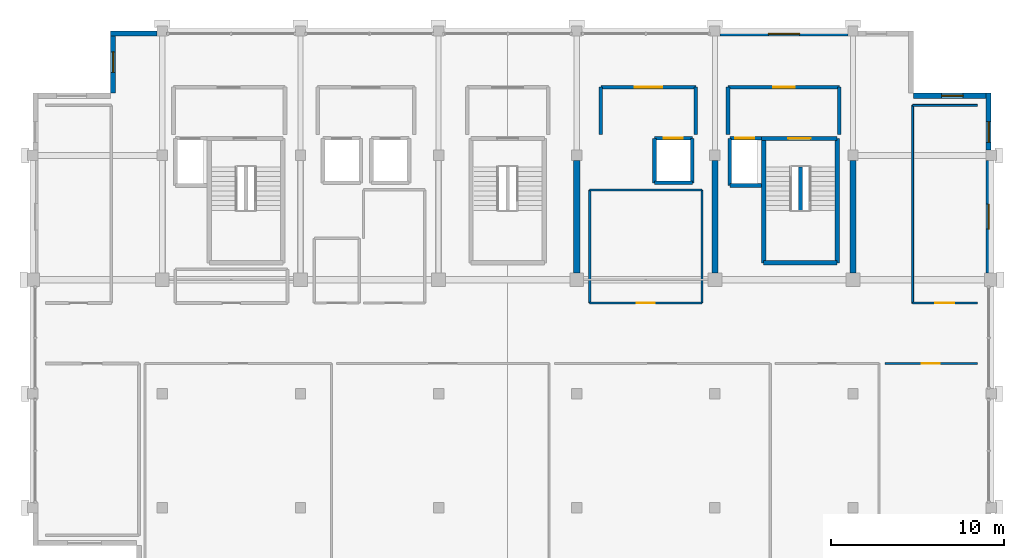
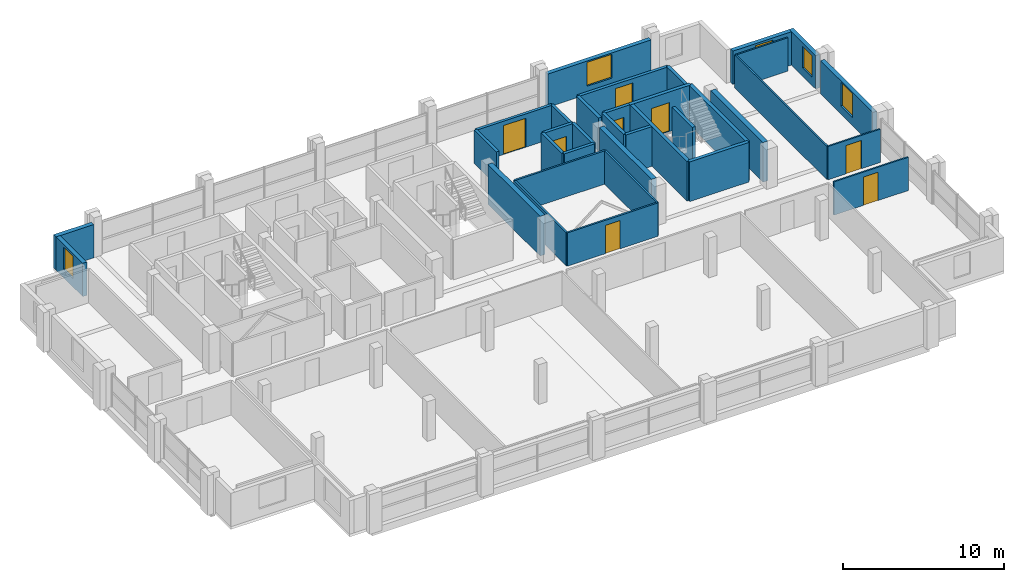
# One storey, part 22 of 24: 35 walls, 8 doors, 5 windows, 13 openings.
"""IFC4 building model written with IfcOpenShell, lengths in metres."""

from ifc_helpers import new_model, si_unit, direction, frame, frame_2d, origin, place, context, subcontext, project, spatial, rectangle, extrude, material, layer, layer_set, type_object, element, fill, save


model = new_model("IFC4")

# Units and contexts
model_context = context("Model", 3, precision=1e-05, world=origin(), true_north=direction((0.0, 1.0)))
body_context = subcontext(model_context, "Body", "Model", "MODEL_VIEW")
ifc_project = project(units=[si_unit("LENGTHUNIT", "METRE"), si_unit("AREAUNIT", "SQUARE_METRE"), si_unit("VOLUMEUNIT", "CUBIC_METRE"), si_unit("PLANEANGLEUNIT", "RADIAN"), si_unit("MASSUNIT", "GRAM", prefix="KILO")], contexts=[model_context])

# Site, building, storey
site_placement = place(None, origin())
site = spatial("IfcSite", under=ifc_project, at=site_placement, CompositionType="ELEMENT")
building_placement = place(site_placement, origin())
building = spatial("IfcBuilding", under=site, at=building_placement, Name="Akrevak Sports Hall", CompositionType="ELEMENT")
storey_placement = place(building_placement, frame((0.0, 0.0, 63.300048828125)))
storey = spatial("IfcBuildingStorey", under=building, at=storey_placement, Name="L16", CompositionType="ELEMENT", Elevation=63.300048828125)

# Wall, opening, window
ifc_material_1 = material(Name="Limestone Ashlar", Category="stone")
ifc_layer_1 = layer(ifc_material_1, 0.06005859375, Name="Limestone Ashlar")
ifc_material_2 = material(Name="Mineral Wool Thermal Insulation", Category="insulation")
ifc_layer_2 = layer(ifc_material_2, 0.090087890625, Name="Mineral Wool Thermal Insulation")
ifc_material_3 = material(Name="Concrete C40/50", Category="concrete")
ifc_layer_3 = layer(ifc_material_3, 0.14990234375, Name="Concrete C40/50")
ifc_layer_set_1 = layer_set([ifc_layer_1, ifc_layer_2, ifc_layer_3], Name="Limestone Ashlar / Mineral Wool Thermal Insulation / Concrete C40/50")
wall_type_1 = type_object("IfcWallType", Name="ARC-WL-EXT-300", PredefinedType="SOLIDWALL", material=ifc_layer_set_1)
wall_1_placement = place(storey_placement, frame((107.85009765625, 55.60009765625, 0.0), z_axis=(0.0, 0.0, 1.0), x_axis=(0.0, 1.0, 0.0)))
wall_1 = element("IfcWall", 1, at=wall_1_placement, inside=storey, type_object=wall_type_1, Name="Tower Stone Facade Wall L16-E13", PredefinedType="SOLIDWALL", context=body_context, shape_type="SweptSolid", body=[
    extrude(rectangle(XDim=6.5, YDim=0.300048828125, at=frame_2d((3.25, 0.0))), origin(), (0.0, 0.0, 1.0), 2.530029296875),
])
opening_1_placement = place(wall_1_placement, frame((2.52490234375, 0.0, 0.6201171875)))
opening_1 = element("IfcOpeningElement", 2, at=opening_1_placement, cuts=wall_1, Name="Opening WN-51", PredefinedType="OPENING", context=body_context, shape_type="SweptSolid", body=[
    extrude(rectangle(XDim=1.449951171875, YDim=1.81005859375, at=frame_2d((0.72509765625, 0.905029296875))), frame((0.0, 0.162109375, 0.0), z_axis=(0.0, -1.0, 0.0), x_axis=(1.0, 0.0, 0.0)), (0.0, 0.0, 1.0), 0.323974609375),
])
ifc_material_4 = material(Name="Thermally Broken Bronze Frame & Double Low-E Glass", Category="glass")
window_type_1 = type_object("IfcWindowType", Name="ARC-WIN-SZ-1450x1810", PartitioningType="SINGLE_PANEL", PredefinedType="WINDOW", material=ifc_material_4)
window_1_placement = place(opening_1_placement, origin())
window_1 = element("IfcWindow", 3, at=window_1_placement, inside=storey, type_object=window_type_1, Name="Tower Window L16-E13", OverallHeight=1.81005859375, OverallWidth=1.449951171875, PartitioningType="SINGLE_PANEL", PredefinedType="WINDOW", context=body_context, shape_type="SweptSolid", body=[
    extrude(rectangle(XDim=1.449951171875, YDim=1.81005859375, at=frame_2d((0.72509765625, 0.905029296875))), frame((0.0, 0.030029296875, 0.0), z_axis=(0.0, -1.0, 0.0), x_axis=(1.0, 0.0, 0.0)), (0.0, 0.0, 1.0), 0.06005859375),
])
fill(opening_1, window_1)

wall_2_placement = place(storey_placement, frame((107.85009765625, 62.699951171875, 0.0), z_axis=(0.0, 0.0, 1.0), x_axis=(0.0, 1.0, 0.0)))
wall_2 = element("IfcWall", 4, at=wall_2_placement, inside=storey, type_object=wall_type_1, Name="Tower Stone Facade Wall L16-E14", PredefinedType="SOLIDWALL", context=body_context, shape_type="SweptSolid", body=[
    extrude(rectangle(XDim=3.300048828125, YDim=0.300048828125, at=frame_2d((1.64990234375, 0.0))), origin(), (0.0, 0.0, 1.0), 2.530029296875),
])
opening_2_placement = place(wall_2_placement, frame((0.449951171875, 0.0, 0.6201171875)))
opening_2 = element("IfcOpeningElement", 5, at=opening_2_placement, cuts=wall_2, Name="Opening WN-45", PredefinedType="OPENING", context=body_context, shape_type="SweptSolid", body=[
    extrude(rectangle(XDim=1.199951171875, YDim=1.64990234375, at=frame_2d((0.60009765625, 0.824951171875))), frame((0.0, 0.162109375, 0.0), z_axis=(0.0, -1.0, 0.0), x_axis=(1.0, 0.0, 0.0)), (0.0, 0.0, 1.0), 0.323974609375),
])
window_type_2 = type_object("IfcWindowType", Name="ARC-WIN-SZ-1200x1650", PartitioningType="SINGLE_PANEL", PredefinedType="WINDOW", material=ifc_material_4)
window_2_placement = place(opening_2_placement, origin())
window_2 = element("IfcWindow", 6, at=window_2_placement, inside=storey, type_object=window_type_2, Name="Tower Window L16-E14", OverallHeight=1.64990234375, OverallWidth=1.199951171875, PartitioningType="SINGLE_PANEL", PredefinedType="WINDOW", context=body_context, shape_type="SweptSolid", body=[
    extrude(rectangle(XDim=1.199951171875, YDim=1.64990234375, at=frame_2d((0.60009765625, 0.824951171875))), frame((0.0, 0.030029296875, 0.0), z_axis=(0.0, -1.0, 0.0), x_axis=(1.0, 0.0, 0.0)), (0.0, 0.0, 1.0), 0.06005859375),
])
fill(opening_2, window_2)

wall_3_placement = place(storey_placement, frame((108.0, 65.85009765625, 0.0), z_axis=(0.0, 0.0, 1.0), x_axis=(-1.0, 0.0, 0.0)))
wall_3 = element("IfcWall", 7, at=wall_3_placement, inside=storey, type_object=wall_type_1, Name="Tower Stone Facade Wall L16-N15", PredefinedType="SOLIDWALL", context=body_context, shape_type="SweptSolid", body=[
    extrude(rectangle(XDim=4.5, YDim=0.300048828125, at=frame_2d((2.25, 0.0))), origin(), (0.0, 0.0, 1.0), 2.530029296875),
])
opening_3_placement = place(wall_3_placement, frame((1.625, 0.0, 0.6201171875)))
opening_3 = element("IfcOpeningElement", 8, at=opening_3_placement, cuts=wall_3, Name="Opening WN-20", PredefinedType="OPENING", context=body_context, shape_type="SweptSolid", body=[
    extrude(rectangle(XDim=1.25, YDim=1.75, at=frame_2d((0.625, 0.875))), frame((0.0, 0.162109375, 0.0), z_axis=(0.0, -1.0, 0.0), x_axis=(1.0, 0.0, 0.0)), (0.0, 0.0, 1.0), 0.323974609375),
])
window_type_3 = type_object("IfcWindowType", Name="ARC-WIN-TW-125x175", PartitioningType="SINGLE_PANEL", PredefinedType="WINDOW", material=ifc_material_4)
window_3_placement = place(opening_3_placement, origin())
window_3 = element("IfcWindow", 9, at=window_3_placement, inside=storey, type_object=window_type_3, Name="Tower Window L16-N15", OverallHeight=1.75, OverallWidth=1.25, PartitioningType="SINGLE_PANEL", PredefinedType="WINDOW", context=body_context, shape_type="SweptSolid", body=[
    extrude(rectangle(XDim=1.25, YDim=1.75, at=frame_2d((0.625, 0.875))), frame((0.0, 0.030029296875, 0.0), z_axis=(0.0, -1.0, 0.0), x_axis=(1.0, 0.0, 0.0)), (0.0, 0.0, 1.0), 0.06005859375),
])
fill(opening_3, window_3)

wall_4_placement = place(storey_placement, frame((99.699951171875, 69.449951171875, 0.0), z_axis=(0.0, 0.0, 1.0), x_axis=(-1.0, 0.0, 0.0)))
wall_4 = element("IfcWall", 10, at=wall_4_placement, inside=storey, type_object=wall_type_1, Name="Tower Stone Facade Wall L16-N18", PredefinedType="SOLIDWALL", context=body_context, shape_type="SweptSolid", body=[
    extrude(rectangle(XDim=7.39990234375, YDim=0.300048828125, at=frame_2d((3.699951171875, 0.0))), origin(), (0.0, 0.0, 1.0), 2.530029296875),
])
opening_4_placement = place(wall_4_placement, frame((2.800048828125, 0.0, 0.6201171875)))
opening_4 = element("IfcOpeningElement", 11, at=opening_4_placement, cuts=wall_4, Name="Opening WN-54", PredefinedType="OPENING", context=body_context, shape_type="SweptSolid", body=[
    extrude(rectangle(XDim=1.800048828125, YDim=1.81005859375, at=frame_2d((0.89990234375, 0.905029296875))), frame((0.0, 0.162109375, 0.0), z_axis=(0.0, -1.0, 0.0), x_axis=(1.0, 0.0, 0.0)), (0.0, 0.0, 1.0), 0.323974609375),
])
window_type_4 = type_object("IfcWindowType", Name="ARC-WIN-SZ-1800x1810", PartitioningType="SINGLE_PANEL", PredefinedType="WINDOW", material=ifc_material_4)
window_4_placement = place(opening_4_placement, origin())
window_4 = element("IfcWindow", 12, at=window_4_placement, inside=storey, type_object=window_type_4, Name="Tower Window L16-N18", OverallHeight=1.81005859375, OverallWidth=1.800048828125, PartitioningType="SINGLE_PANEL", PredefinedType="WINDOW", context=body_context, shape_type="SweptSolid", body=[
    extrude(rectangle(XDim=1.800048828125, YDim=1.81005859375, at=frame_2d((0.89990234375, 0.905029296875))), frame((0.0, 0.030029296875, 0.0), z_axis=(0.0, -1.0, 0.0), x_axis=(1.0, 0.0, 0.0)), (0.0, 0.0, 1.0), 0.06005859375),
])
fill(opening_4, window_4)

# Wall
wall_5_placement = place(storey_placement, frame((59.699951171875, 69.449951171875, 0.0), z_axis=(0.0, 0.0, 1.0), x_axis=(-1.0, 0.0, 0.0)))
element("IfcWall", 13, at=wall_5_placement, inside=storey, type_object=wall_type_1, Name="Tower Stone Facade Wall L16-N23", PredefinedType="SOLIDWALL", context=body_context, shape_type="SweptSolid", body=[
    extrude(rectangle(XDim=2.699951171875, YDim=0.300048828125, at=frame_2d((1.35009765625, 0.0))), origin(), (0.0, 0.0, 1.0), 2.530029296875),
])

# Wall, opening, window
wall_6_placement = place(storey_placement, frame((57.14990234375, 69.60009765625, 0.0), z_axis=(0.0, 0.0, 1.0), x_axis=(0.0, -1.0, 0.0)))
wall_6 = element("IfcWall", 14, at=wall_6_placement, inside=storey, type_object=wall_type_1, Name="Tower Stone Facade Wall L16-W24", PredefinedType="SOLIDWALL", context=body_context, shape_type="SweptSolid", body=[
    extrude(rectangle(XDim=3.60009765625, YDim=0.300048828125, at=frame_2d((1.800048828125, 0.0))), origin(), (0.0, 0.0, 1.0), 2.530029296875),
])
opening_5_placement = place(wall_6_placement, frame((1.199951171875, 0.0, 0.6201171875)))
opening_5 = element("IfcOpeningElement", 15, at=opening_5_placement, cuts=wall_6, Name="Opening WN-13", PredefinedType="OPENING", context=body_context, shape_type="SweptSolid", body=[
    extrude(rectangle(XDim=1.199951171875, YDim=1.699951171875, at=frame_2d((0.60009765625, 0.85009765625))), frame((0.0, 0.162109375, 0.0), z_axis=(0.0, -1.0, 0.0), x_axis=(1.0, 0.0, 0.0)), (0.0, 0.0, 1.0), 0.323974609375),
])
window_type_5 = type_object("IfcWindowType", Name="ARC-WIN-TW-120x170", PartitioningType="SINGLE_PANEL", PredefinedType="WINDOW", material=ifc_material_4)
window_5_placement = place(opening_5_placement, origin())
window_5 = element("IfcWindow", 16, at=window_5_placement, inside=storey, type_object=window_type_5, Name="Tower Window L16-W24", OverallHeight=1.699951171875, OverallWidth=1.199951171875, PartitioningType="SINGLE_PANEL", PredefinedType="WINDOW", context=body_context, shape_type="SweptSolid", body=[
    extrude(rectangle(XDim=1.199951171875, YDim=1.699951171875, at=frame_2d((0.60009765625, 0.85009765625))), frame((0.0, 0.030029296875, 0.0), z_axis=(0.0, -1.0, 0.0), x_axis=(1.0, 0.0, 0.0)), (0.0, 0.0, 1.0), 0.06005859375),
])
fill(opening_5, window_5)

# Wall, opening, door
ifc_material_5 = material(Name="Lightweight Office Partition", Category="gypsum")
ifc_layer_4 = layer(ifc_material_5, 0.110107421875, Name="Lightweight Office Partition")
ifc_layer_set_2 = layer_set([ifc_layer_4], Name="Lightweight Office Partition")
wall_type_2 = type_object("IfcWallType", Name="ARC-WL-PRT-110", PredefinedType="PARTITIONING", material=ifc_layer_set_2)
wall_7_placement = place(storey_placement, frame((101.85009765625, 50.35009765625, 0.0), z_axis=(0.0, 0.0, 1.0), x_axis=(1.0, 0.0, 0.0)))
wall_7 = element("IfcWall", 17, at=wall_7_placement, inside=storey, type_object=wall_type_2, Name="Interior Partition International Federation Office East (L16) (N)", PredefinedType="PARTITIONING", context=body_context, shape_type="SweptSolid", body=[
    extrude(rectangle(XDim=5.349853515625, YDim=0.110107421875, at=frame_2d((2.6748046875, 0.0))), origin(), (0.0, 0.0, 1.0), 2.530029296875),
])
opening_6_placement = place(wall_7_placement, frame((2.125, 0.0, 0.0)))
opening_6 = element("IfcOpeningElement", 18, at=opening_6_placement, cuts=wall_7, Name="Opening ID-05", PredefinedType="OPENING", context=body_context, shape_type="SweptSolid", body=[
    extrude(rectangle(XDim=1.050048828125, YDim=2.14990234375, at=frame_2d((0.52490234375, 1.074951171875))), frame((0.0, 0.06689453125, 0.0), z_axis=(0.0, -1.0, 0.0), x_axis=(1.0, 0.0, 0.0)), (0.0, 0.0, 1.0), 0.134033203125),
])
ifc_material_6 = material(Name="Hardwood Oak Acoustic Leaf", Category="wood")
door_type_1 = type_object("IfcDoorType", Name="ARC-DR-OFF-105x215", OperationType="NOTDEFINED", PredefinedType="DOOR", material=ifc_material_6)
door_1_placement = place(opening_6_placement, origin())
door_1 = element("IfcDoor", 19, at=door_1_placement, inside=storey, type_object=door_type_1, Name="Door to International Federation Office East (L16)", OperationType="SINGLE_SWING_LEFT", OverallHeight=2.14990234375, OverallWidth=1.050048828125, PredefinedType="DOOR", context=body_context, shape_type="SweptSolid", body=[
    extrude(rectangle(XDim=1.050048828125, YDim=2.14990234375, at=frame_2d((0.52490234375, 1.074951171875))), frame((0.0, 0.02490234375, 0.0), z_axis=(0.0, -1.0, 0.0), x_axis=(1.0, 0.0, 0.0)), (0.0, 0.0, 1.0), 0.050048828125),
])
fill(opening_6, door_1)

wall_8_placement = place(storey_placement, frame((103.449951171875, 53.85009765625, 0.0), z_axis=(0.0, 0.0, 1.0), x_axis=(1.0, 0.0, 0.0)))
wall_8 = element("IfcWall", 20, at=wall_8_placement, inside=storey, type_object=wall_type_2, Name="Interior Partition Heritage Curatorial Office (L16) (S)", PredefinedType="PARTITIONING", context=body_context, shape_type="SweptSolid", body=[
    extrude(rectangle(XDim=3.75, YDim=0.110107421875, at=frame_2d((1.875, 0.0))), origin(), (0.0, 0.0, 1.0), 2.530029296875),
])
opening_7_placement = place(wall_8_placement, frame((1.300048828125, 0.0, 0.0)))
opening_7 = element("IfcOpeningElement", 21, at=opening_7_placement, cuts=wall_8, Name="Opening ID-04", PredefinedType="OPENING", context=body_context, shape_type="SweptSolid", body=[
    extrude(rectangle(XDim=1.10009765625, YDim=2.14990234375, at=frame_2d((0.550048828125, 1.074951171875))), frame((0.0, 0.06689453125, 0.0), z_axis=(0.0, -1.0, 0.0), x_axis=(1.0, 0.0, 0.0)), (0.0, 0.0, 1.0), 0.134033203125),
])
door_type_2 = type_object("IfcDoorType", Name="ARC-DR-OFF-110x215", OperationType="NOTDEFINED", PredefinedType="DOOR", material=ifc_material_6)
door_2_placement = place(opening_7_placement, origin())
door_2 = element("IfcDoor", 22, at=door_2_placement, inside=storey, type_object=door_type_2, Name="Door to Heritage Curatorial Office (L16)", OperationType="SINGLE_SWING_LEFT", OverallHeight=2.14990234375, OverallWidth=1.10009765625, PredefinedType="DOOR", context=body_context, shape_type="SweptSolid", body=[
    extrude(rectangle(XDim=1.10009765625, YDim=2.14990234375, at=frame_2d((0.550048828125, 1.074951171875))), frame((0.0, 0.02490234375, 0.0), z_axis=(0.0, -1.0, 0.0), x_axis=(1.0, 0.0, 0.0)), (0.0, 0.0, 1.0), 0.050048828125),
])
fill(opening_7, door_2)

# Walls
wall_9_placement = place(storey_placement, frame((103.449951171875, 65.300048828125, 0.0), z_axis=(0.0, 0.0, 1.0), x_axis=(1.0, 0.0, 0.0)))
element("IfcWall", 23, at=wall_9_placement, inside=storey, type_object=wall_type_2, Name="Interior Partition Heritage Curatorial Office (L16) (N)", PredefinedType="PARTITIONING", context=body_context, shape_type="SweptSolid", body=[
    extrude(rectangle(XDim=3.75, YDim=0.110107421875, at=frame_2d((1.875, 0.0))), origin(), (0.0, 0.0, 1.0), 2.530029296875),
])
wall_10_placement = place(storey_placement, frame((103.449951171875, 53.85009765625, 0.0), z_axis=(0.0, 0.0, 1.0), x_axis=(0.0, 1.0, 0.0)))
element("IfcWall", 24, at=wall_10_placement, inside=storey, type_object=wall_type_2, Name="Interior Partition Heritage Curatorial Office (L16) (W)", PredefinedType="PARTITIONING", context=body_context, shape_type="SweptSolid", body=[
    extrude(rectangle(XDim=11.449951171875, YDim=0.110107421875, at=frame_2d((5.72509765625, 0.0))), origin(), (0.0, 0.0, 1.0), 2.530029296875),
])

# Wall, opening, door
ifc_material_7 = material(Name="Acoustic Metal Stud Partition", Category="gypsum")
ifc_layer_5 = layer(ifc_material_7, 0.1298828125, Name="Acoustic Metal Stud Partition")
ifc_layer_set_3 = layer_set([ifc_layer_5], Name="Acoustic Metal Stud Partition")
wall_type_3 = type_object("IfcWallType", Name="ARC-WL-PRT-130", PredefinedType="PARTITIONING", material=ifc_layer_set_3)
wall_11_placement = place(storey_placement, frame((84.75, 53.85009765625, 0.0), z_axis=(0.0, 0.0, 1.0), x_axis=(1.0, 0.0, 0.0)))
wall_11 = element("IfcWall", 25, at=wall_11_placement, inside=storey, type_object=wall_type_3, Name="Interior Partition Federation Officiating Office East (L16) (S)", PredefinedType="PARTITIONING", context=body_context, shape_type="SweptSolid", body=[
    extrude(rectangle(XDim=6.5, YDim=0.1298828125, at=frame_2d((3.25, 0.0))), origin(), (0.0, 0.0, 1.0), 2.530029296875),
])
opening_8_placement = place(wall_11_placement, frame((2.72509765625, 0.0, 0.0)))
opening_8 = element("IfcOpeningElement", 26, at=opening_8_placement, cuts=wall_11, Name="Opening ID-05", PredefinedType="OPENING", context=body_context, shape_type="SweptSolid", body=[
    extrude(rectangle(XDim=1.050048828125, YDim=2.14990234375, at=frame_2d((0.52490234375, 1.074951171875))), frame((0.0, 0.076904296875, 0.0), z_axis=(0.0, -1.0, 0.0), x_axis=(1.0, 0.0, 0.0)), (0.0, 0.0, 1.0), 0.15380859375),
])
door_3_placement = place(opening_8_placement, frame((1.050048828125, 0.0, 0.0), z_axis=(0.0, 0.0, 1.0), x_axis=(-1.0, 0.0, 0.0)))
door_3 = element("IfcDoor", 27, at=door_3_placement, inside=storey, type_object=door_type_1, Name="Door to Federation Officiating Office East (L16)", OperationType="SINGLE_SWING_RIGHT", OverallHeight=2.14990234375, OverallWidth=1.050048828125, PredefinedType="DOOR", context=body_context, shape_type="SweptSolid", body=[
    extrude(rectangle(XDim=1.050048828125, YDim=2.14990234375, at=frame_2d((0.52490234375, 1.074951171875))), frame((0.0, 0.02490234375, 0.0), z_axis=(0.0, -1.0, 0.0), x_axis=(1.0, 0.0, 0.0)), (0.0, 0.0, 1.0), 0.050048828125),
])
fill(opening_8, door_3)

# Walls
wall_12_placement = place(storey_placement, frame((84.75, 60.39990234375, 0.0), z_axis=(0.0, 0.0, 1.0), x_axis=(1.0, 0.0, 0.0)))
element("IfcWall", 28, at=wall_12_placement, inside=storey, type_object=wall_type_3, Name="Interior Partition Federation Officiating Office East (L16) (N)", PredefinedType="PARTITIONING", context=body_context, shape_type="SweptSolid", body=[
    extrude(rectangle(XDim=6.5, YDim=0.1298828125, at=frame_2d((3.25, 0.0))), origin(), (0.0, 0.0, 1.0), 2.530029296875),
])
for number, where, z_axis, x_axis, name in (
    (29, (84.75, 53.85009765625, 0.0), (0.0, 0.0, 1.0), (0.0, 1.0, 0.0), "Interior Partition Federation Officiating Office East (L16) (W)"),
    (30, (91.25, 53.85009765625, 0.0), (0.0, 0.0, 1.0), (0.0, 1.0, 0.0), "Interior Partition Federation Officiating Office East (L16) (E)"),
):
    element("IfcWall", number, at=place(storey_placement, frame(where, z_axis=z_axis, x_axis=x_axis)), inside=storey, type_object=wall_type_3, Name=name, PredefinedType="PARTITIONING", context=body_context, shape_type="SweptSolid", body=[
        extrude(rectangle(XDim=6.5498046875, YDim=0.1298828125, at=frame_2d((3.27490234375, 0.0))), origin(), (0.0, 0.0, 1.0), 2.530029296875),
    ])

# Wall, opening, door
ifc_material_8 = material(Name="Autoclaved Aerated Masonry Block", Category="masonry")
ifc_layer_6 = layer(ifc_material_8, 0.199951171875, Name="Autoclaved Aerated Masonry Block")
ifc_layer_set_4 = layer_set([ifc_layer_6], Name="Autoclaved Aerated Masonry Block")
wall_type_4 = type_object("IfcWallType", Name="ARC-WL-PRT-200", PredefinedType="PARTITIONING", material=ifc_layer_set_4)
wall_13_placement = place(storey_placement, frame((85.39990234375, 66.35009765625, 0.0), z_axis=(0.0, 0.0, 1.0), x_axis=(1.0, 0.0, 0.0)))
wall_13 = element("IfcWall", 31, at=wall_13_placement, inside=storey, type_object=wall_type_4, Name="Interior Partition East Passenger Lift Lobby L16 (N)", PredefinedType="PARTITIONING", context=body_context, shape_type="SweptSolid", body=[
    extrude(rectangle(XDim=5.5, YDim=0.199951171875, at=frame_2d((2.75, 0.0))), origin(), (0.0, 0.0, 1.0), 2.530029296875),
])
opening_9_placement = place(wall_13_placement, frame((1.949951171875, 0.0, 0.0)))
opening_9 = element("IfcOpeningElement", 32, at=opening_9_placement, cuts=wall_13, Name="Opening ID-03", PredefinedType="OPENING", context=body_context, shape_type="SweptSolid", body=[
    extrude(rectangle(XDim=1.60009765625, YDim=2.199951171875, at=frame_2d((0.800048828125, 1.10009765625))), frame((0.0, 0.11181640625, 0.0), z_axis=(0.0, -1.0, 0.0), x_axis=(1.0, 0.0, 0.0)), (0.0, 0.0, 1.0), 0.223876953125),
])
ifc_material_9 = material(Name="Hardwood Oak & Safety Glass", Category="wood")
door_type_3 = type_object("IfcDoorType", Name="ARC-DR-HALL-160x220", OperationType="DOUBLE_DOOR_SINGLE_SWING", PredefinedType="DOOR", material=ifc_material_9)
door_4_placement = place(opening_9_placement, origin())
door_4 = element("IfcDoor", 33, at=door_4_placement, inside=storey, type_object=door_type_3, Name="Door to East Passenger Lift Lobby L16", OperationType="DOUBLE_DOOR_SINGLE_SWING", OverallHeight=2.199951171875, OverallWidth=1.60009765625, PredefinedType="DOOR", context=body_context, shape_type="SweptSolid", body=[
    extrude(rectangle(XDim=1.60009765625, YDim=2.199951171875, at=frame_2d((0.800048828125, 1.10009765625))), frame((0.0, 0.02490234375, 0.0), z_axis=(0.0, -1.0, 0.0), x_axis=(1.0, 0.0, 0.0)), (0.0, 0.0, 1.0), 0.050048828125),
])
fill(opening_9, door_4)

# Walls
for number, where, z_axis, x_axis, name in (
    (34, (85.39990234375, 63.60009765625, 0.0), (0.0, 0.0, 1.0), (0.0, 1.0, 0.0), "Interior Partition East Passenger Lift Lobby L16 (W)"),
    (35, (90.89990234375, 63.60009765625, 0.0), (0.0, 0.0, 1.0), (0.0, 1.0, 0.0), "Interior Partition East Passenger Lift Lobby L16 (E)"),
):
    element("IfcWall", number, at=place(storey_placement, frame(where, z_axis=z_axis, x_axis=x_axis)), inside=storey, type_object=wall_type_4, Name=name, PredefinedType="PARTITIONING", context=body_context, shape_type="SweptSolid", body=[
        extrude(rectangle(XDim=2.75, YDim=0.199951171875, at=frame_2d((1.375, 0.0))), origin(), (0.0, 0.0, 1.0), 2.530029296875),
    ])
ifc_layer_7 = layer(ifc_material_3, 0.219970703125, Name="Concrete C40/50")
ifc_layer_set_5 = layer_set([ifc_layer_7], Name="Concrete C40/50")
wall_type_5 = type_object("IfcWallType", Name="ARC-WL-PRT-220", PredefinedType="PARTITIONING", material=ifc_layer_set_5)
wall_14_placement = place(storey_placement, frame((96.949951171875, 59.215087890625, 0.0), z_axis=(0.0, 0.0, 1.0), x_axis=(0.0, 1.0, 0.0)))
element("IfcWall", 36, at=wall_14_placement, inside=storey, type_object=wall_type_5, Name="Stair ST2 Central Spine Wall (L16)", PredefinedType="PARTITIONING", context=body_context, shape_type="SweptSolid", body=[
    extrude(rectangle(XDim=2.52001953125, YDim=0.219970703125, at=frame_2d((1.260009765625, 0.0))), origin(), (0.0, 0.0, 1.0), 3.010009765625),
])

# Wall, opening, door
wall_15_placement = place(storey_placement, frame((92.75, 66.35009765625, 0.0), z_axis=(0.0, 0.0, 1.0), x_axis=(1.0, 0.0, 0.0)))
wall_15 = element("IfcWall", 37, at=wall_15_placement, inside=storey, type_object=wall_type_5, Name="Interior Partition Firefighting Lobby East L16 (N)", PredefinedType="PARTITIONING", context=body_context, shape_type="SweptSolid", body=[
    extrude(rectangle(XDim=6.449951171875, YDim=0.219970703125, at=frame_2d((3.22509765625, 0.0))), origin(), (0.0, 0.0, 1.0), 2.530029296875),
])
opening_10_placement = place(wall_15_placement, frame((2.625, 0.0, 0.0)))
opening_10 = element("IfcOpeningElement", 38, at=opening_10_placement, cuts=wall_15, Name="Opening FD-01", PredefinedType="OPENING", context=body_context, shape_type="SweptSolid", body=[
    extrude(rectangle(XDim=1.25, YDim=2.199951171875, at=frame_2d((0.625, 1.10009765625))), frame((0.0, 0.1220703125, 0.0), z_axis=(0.0, -1.0, 0.0), x_axis=(1.0, 0.0, 0.0)), (0.0, 0.0, 1.0), 0.243896484375),
])
ifc_material_10 = material(Name="Fire-Rated Galvanized Door Steel", Category="steel")
door_type_4 = type_object("IfcDoorType", Name="ARC-DR-FFL-125x220", OperationType="NOTDEFINED", PredefinedType="DOOR", material=ifc_material_10)
door_5_placement = place(opening_10_placement, frame((1.25, 0.0, 0.0), z_axis=(0.0, 0.0, 1.0), x_axis=(-1.0, 0.0, 0.0)))
door_5 = element("IfcDoor", 39, at=door_5_placement, inside=storey, type_object=door_type_4, Name="Door to Firefighting Lobby East L16", OperationType="SINGLE_SWING_LEFT", OverallHeight=2.199951171875, OverallWidth=1.25, PredefinedType="DOOR", context=body_context, shape_type="SweptSolid", body=[
    extrude(rectangle(XDim=1.25, YDim=2.199951171875, at=frame_2d((0.625, 1.10009765625))), frame((0.0, 0.02490234375, 0.0), z_axis=(0.0, -1.0, 0.0), x_axis=(1.0, 0.0, 0.0)), (0.0, 0.0, 1.0), 0.050048828125),
])
fill(opening_10, door_5)

# Walls
for number, where, z_axis, x_axis, name in (
    (40, (92.75, 63.60009765625, 0.0), (0.0, 0.0, 1.0), (0.0, 1.0, 0.0), "Interior Partition Firefighting Lobby East L16 (W)"),
    (41, (99.199951171875, 63.60009765625, 0.0), (0.0, 0.0, 1.0), (0.0, 1.0, 0.0), "Interior Partition Firefighting Lobby East L16 (E)"),
):
    element("IfcWall", number, at=place(storey_placement, frame(where, z_axis=z_axis, x_axis=x_axis)), inside=storey, type_object=wall_type_5, Name=name, PredefinedType="PARTITIONING", context=body_context, shape_type="SweptSolid", body=[
        extrude(rectangle(XDim=2.75, YDim=0.219970703125, at=frame_2d((1.375, 0.0))), origin(), (0.0, 0.0, 1.0), 2.530029296875),
    ])
ifc_material_11 = material(Name="Concrete C50/60", Category="concrete")
ifc_layer_8 = layer(ifc_material_11, 0.219970703125, Name="Concrete C50/60")
ifc_layer_set_6 = layer_set([ifc_layer_8], Name="Concrete C50/60")
wall_type_6 = type_object("IfcWallType", Name="ARC-WL-SHAFT-220", PredefinedType="SHEAR", material=ifc_layer_set_6)
wall_16_placement = place(storey_placement, frame((92.860107421875, 60.659912109375, 0.0), z_axis=(0.0, 0.0, 1.0), x_axis=(1.0, 0.0, 0.0)))
element("IfcWall", 42, at=wall_16_placement, inside=storey, type_object=wall_type_6, Name="Lift Shaft LF-FF2 Wall S (L16)", PredefinedType="SHEAR", context=body_context, shape_type="SweptSolid", body=[
    extrude(rectangle(XDim=1.83984375, YDim=0.219970703125, at=frame_2d((0.919921875, 0.0))), origin(), (0.0, 0.0, 1.0), 3.010009765625),
])

# Wall, opening, door
wall_17_placement = place(storey_placement, frame((94.699951171875, 63.389892578125, 0.0), z_axis=(0.0, 0.0, 1.0), x_axis=(-1.0, 0.0, 0.0)))
wall_17 = element("IfcWall", 43, at=wall_17_placement, inside=storey, type_object=wall_type_6, Name="Lift Shaft LF-FF2 Wall N (L16)", PredefinedType="SHEAR", context=body_context, shape_type="SweptSolid", body=[
    extrude(rectangle(XDim=1.83984375, YDim=0.219970703125, at=frame_2d((0.919921875, 0.0))), origin(), (0.0, 0.0, 1.0), 3.010009765625),
])
opening_11_placement = place(wall_17_placement, frame((0.425048828125, 0.0, 0.0)))
opening_11 = element("IfcOpeningElement", 44, at=opening_11_placement, cuts=wall_17, Name="Opening LD-01", PredefinedType="OPENING", context=body_context, shape_type="SweptSolid", body=[
    extrude(rectangle(XDim=1.10009765625, YDim=2.199951171875, at=frame_2d((0.550048828125, 1.10009765625))), frame((0.0, 0.1220703125, 0.0), z_axis=(0.0, -1.0, 0.0), x_axis=(1.0, 0.0, 0.0)), (0.0, 0.0, 1.0), 0.243896484375),
])
ifc_material_12 = material(Name="Brushed Stainless Steel 304", Category="steel")
door_type_5 = type_object("IfcDoorType", Name="ARC-DR-LD-110x220", OperationType="SLIDING_TO_LEFT", PredefinedType="DOOR", material=ifc_material_12)
door_6_placement = place(opening_11_placement, origin())
door_6 = element("IfcDoor", 45, at=door_6_placement, inside=storey, type_object=door_type_5, Name="Lift LF-FF2 Sliding Landing Door (L16)", OperationType="SLIDING_TO_LEFT", OverallHeight=2.199951171875, OverallWidth=1.10009765625, PredefinedType="DOOR", context=body_context, shape_type="SweptSolid", body=[
    extrude(rectangle(XDim=1.10009765625, YDim=2.199951171875, at=frame_2d((0.550048828125, 1.10009765625))), frame((0.0, 0.02490234375, 0.0), z_axis=(0.0, -1.0, 0.0), x_axis=(1.0, 0.0, 0.0)), (0.0, 0.0, 1.0), 0.050048828125),
])
fill(opening_11, door_6)

# Walls
wall_18_placement = place(storey_placement, frame((92.860107421875, 63.389892578125, 0.0), z_axis=(0.0, 0.0, 1.0), x_axis=(0.0, -1.0, 0.0)))
element("IfcWall", 46, at=wall_18_placement, inside=storey, type_object=wall_type_6, Name="Lift Shaft LF-FF2 Wall W (L16)", PredefinedType="SHEAR", context=body_context, shape_type="SweptSolid", body=[
    extrude(rectangle(XDim=2.72998046875, YDim=0.219970703125, at=frame_2d((1.364990234375, 0.0))), origin(), (0.0, 0.0, 1.0), 3.010009765625),
])
wall_19_placement = place(storey_placement, frame((88.510009765625, 60.81005859375, 0.0), z_axis=(0.0, 0.0, 1.0), x_axis=(1.0, 0.0, 0.0)))
element("IfcWall", 47, at=wall_19_placement, inside=storey, type_object=wall_type_6, Name="Lift Shaft LF-P4 Wall S (L16)", PredefinedType="SHEAR", context=body_context, shape_type="SweptSolid", body=[
    extrude(rectangle(XDim=2.179931640625, YDim=0.219970703125, at=frame_2d((1.08984375, 0.0))), origin(), (0.0, 0.0, 1.0), 3.010009765625),
])

# Wall, opening, door
wall_20_placement = place(storey_placement, frame((90.68994140625, 63.389892578125, 0.0), z_axis=(0.0, 0.0, 1.0), x_axis=(-1.0, 0.0, 0.0)))
wall_20 = element("IfcWall", 48, at=wall_20_placement, inside=storey, type_object=wall_type_6, Name="Lift Shaft LF-P4 Wall N (L16)", PredefinedType="SHEAR", context=body_context, shape_type="SweptSolid", body=[
    extrude(rectangle(XDim=2.179931640625, YDim=0.219970703125, at=frame_2d((1.08984375, 0.0))), origin(), (0.0, 0.0, 1.0), 3.010009765625),
])
opening_12_placement = place(wall_20_placement, frame((0.5400390625, 0.0, 0.0)))
opening_12 = element("IfcOpeningElement", 49, at=opening_12_placement, cuts=wall_20, Name="Opening LD-01", PredefinedType="OPENING", context=body_context, shape_type="SweptSolid", body=[
    extrude(rectangle(XDim=1.10009765625, YDim=2.199951171875, at=frame_2d((0.550048828125, 1.10009765625))), frame((0.0, 0.1220703125, 0.0), z_axis=(0.0, -1.0, 0.0), x_axis=(1.0, 0.0, 0.0)), (0.0, 0.0, 1.0), 0.243896484375),
])
door_7_placement = place(opening_12_placement, origin())
door_7 = element("IfcDoor", 50, at=door_7_placement, inside=storey, type_object=door_type_5, Name="Lift LF-P4 Sliding Landing Door (L16)", OperationType="SLIDING_TO_LEFT", OverallHeight=2.199951171875, OverallWidth=1.10009765625, PredefinedType="DOOR", context=body_context, shape_type="SweptSolid", body=[
    extrude(rectangle(XDim=1.10009765625, YDim=2.199951171875, at=frame_2d((0.550048828125, 1.10009765625))), frame((0.0, 0.02490234375, 0.0), z_axis=(0.0, -1.0, 0.0), x_axis=(1.0, 0.0, 0.0)), (0.0, 0.0, 1.0), 0.050048828125),
])
fill(opening_12, door_7)

# Walls
for number, where, z_axis, x_axis, name in (
    (51, (88.510009765625, 63.389892578125, 0.0), (0.0, 0.0, 1.0), (0.0, -1.0, 0.0), "Lift Shaft LF-P4 Wall W (L16)"),
    (52, (90.68994140625, 60.81005859375, 0.0), (0.0, 0.0, 1.0), (0.0, 1.0, 0.0), "Lift Shaft LF-P4 Wall E (L16)"),
):
    element("IfcWall", number, at=place(storey_placement, frame(where, z_axis=z_axis, x_axis=x_axis)), inside=storey, type_object=wall_type_6, Name=name, PredefinedType="SHEAR", context=body_context, shape_type="SweptSolid", body=[
        extrude(rectangle(XDim=2.579833984375, YDim=0.219970703125, at=frame_2d((1.2900390625, 0.0))), origin(), (0.0, 0.0, 1.0), 3.010009765625),
    ])
ifc_layer_9 = layer(ifc_material_11, 0.35009765625, Name="Concrete C50/60")
ifc_layer_set_7 = layer_set([ifc_layer_9], Name="Concrete C50/60")
wall_type_7 = type_object("IfcWallType", Name="STR-WL-CORE-350", PredefinedType="SHEAR", material=ifc_layer_set_7)
for number, where, z_axis, x_axis, name in (
    (53, (84.0, 55.60009765625, 0.0), (0.0, 0.0, 1.0), (0.0, 1.0, 0.0), "Reinforced Concrete Shear Wall SW-C2 (L16)"),
    (54, (92.0, 55.60009765625, 0.0), (0.0, 0.0, 1.0), (0.0, 1.0, 0.0), "Reinforced Concrete Shear Wall SW-E1 (L16)"),
    (55, (100.0, 55.60009765625, 0.0), (0.0, 0.0, 1.0), (0.0, 1.0, 0.0), "Reinforced Concrete Shear Wall SW-E2 (L16)"),
):
    element("IfcWall", number, at=place(storey_placement, frame(where, z_axis=z_axis, x_axis=x_axis)), inside=storey, type_object=wall_type_7, Name=name, PredefinedType="SHEAR", context=body_context, shape_type="SweptSolid", body=[
        extrude(rectangle(XDim=6.5, YDim=0.35009765625, at=frame_2d((3.25, 0.0))), origin(), (0.0, 0.0, 1.0), 3.010009765625),
    ])
ifc_layer_10 = layer(ifc_material_11, 0.25, Name="Concrete C50/60")
ifc_layer_set_8 = layer_set([ifc_layer_10], Name="Concrete C50/60")
wall_type_8 = type_object("IfcWallType", Name="STR-WL-STAIR-250", PredefinedType="SHEAR", material=ifc_layer_set_8)
wall_21_placement = place(storey_placement, frame((94.824951171875, 56.175048828125, 0.0), z_axis=(0.0, 0.0, 1.0), x_axis=(1.0, 0.0, 0.0)))
element("IfcWall", 56, at=wall_21_placement, inside=storey, type_object=wall_type_8, Name="Stair Core ST2 Shear Wall S (L16)", PredefinedType="SHEAR", context=body_context, shape_type="SweptSolid", body=[
    extrude(rectangle(XDim=4.25, YDim=0.25, at=frame_2d((2.125, 0.0))), origin(), (0.0, 0.0, 1.0), 3.010009765625),
])

# Wall, opening, door
wall_22_placement = place(storey_placement, frame((99.074951171875, 63.375, 0.0), z_axis=(0.0, 0.0, 1.0), x_axis=(-1.0, 0.0, 0.0)))
wall_22 = element("IfcWall", 57, at=wall_22_placement, inside=storey, type_object=wall_type_8, Name="Stair Core ST2 Shear Wall N (L16)", PredefinedType="SHEAR", context=body_context, shape_type="SweptSolid", body=[
    extrude(rectangle(XDim=4.375, YDim=0.25, at=frame_2d((2.1875, 0.0))), origin(), (0.0, 0.0, 1.0), 3.010009765625),
])
opening_13_placement = place(wall_22_placement, frame((1.53759765625, 0.0, 0.0)))
opening_13 = element("IfcOpeningElement", 58, at=opening_13_placement, cuts=wall_22, Name="Opening SD-01", PredefinedType="OPENING", context=body_context, shape_type="SweptSolid", body=[
    extrude(rectangle(XDim=1.300048828125, YDim=2.199951171875, at=frame_2d((0.64990234375, 1.10009765625))), frame((0.0, 0.136962890625, 0.0), z_axis=(0.0, -1.0, 0.0), x_axis=(1.0, 0.0, 0.0)), (0.0, 0.0, 1.0), 0.27392578125),
])
door_type_6 = type_object("IfcDoorType", Name="ARC-DR-STAIR-130x220", OperationType="NOTDEFINED", PredefinedType="DOOR", material=ifc_material_10)
door_8_placement = place(opening_13_placement, origin())
door_8 = element("IfcDoor", 59, at=door_8_placement, inside=storey, type_object=door_type_6, Name="Exit Stair ST2 Door (L16)", OperationType="SINGLE_SWING_LEFT", OverallHeight=2.199951171875, OverallWidth=1.300048828125, PredefinedType="DOOR", context=body_context, shape_type="SweptSolid", body=[
    extrude(rectangle(XDim=1.300048828125, YDim=2.199951171875, at=frame_2d((0.64990234375, 1.10009765625))), frame((0.0, 0.02490234375, 0.0), z_axis=(0.0, -1.0, 0.0), x_axis=(1.0, 0.0, 0.0)), (0.0, 0.0, 1.0), 0.050048828125),
])
fill(opening_13, door_8)

# Walls
wall_23_placement = place(storey_placement, frame((94.824951171875, 63.25, 0.0), z_axis=(0.0, 0.0, 1.0), x_axis=(0.0, -1.0, 0.0)))
element("IfcWall", 60, at=wall_23_placement, inside=storey, type_object=wall_type_8, Name="Stair Core ST2 Shear Wall W (L16)", PredefinedType="SHEAR", context=body_context, shape_type="SweptSolid", body=[
    extrude(rectangle(XDim=7.074951171875, YDim=0.25, at=frame_2d((3.53759765625, 0.0))), origin(), (0.0, 0.0, 1.0), 3.010009765625),
])
wall_24_placement = place(storey_placement, frame((99.074951171875, 56.175048828125, 0.0), z_axis=(0.0, 0.0, 1.0), x_axis=(0.0, 1.0, 0.0)))
element("IfcWall", 61, at=wall_24_placement, inside=storey, type_object=wall_type_8, Name="Stair Core ST2 Shear Wall E (L16)", PredefinedType="SHEAR", context=body_context, shape_type="SweptSolid", body=[
    extrude(rectangle(XDim=7.199951171875, YDim=0.25, at=frame_2d((3.60009765625, 0.0))), origin(), (0.0, 0.0, 1.0), 3.010009765625),
])

save(model, "model.ifc")
